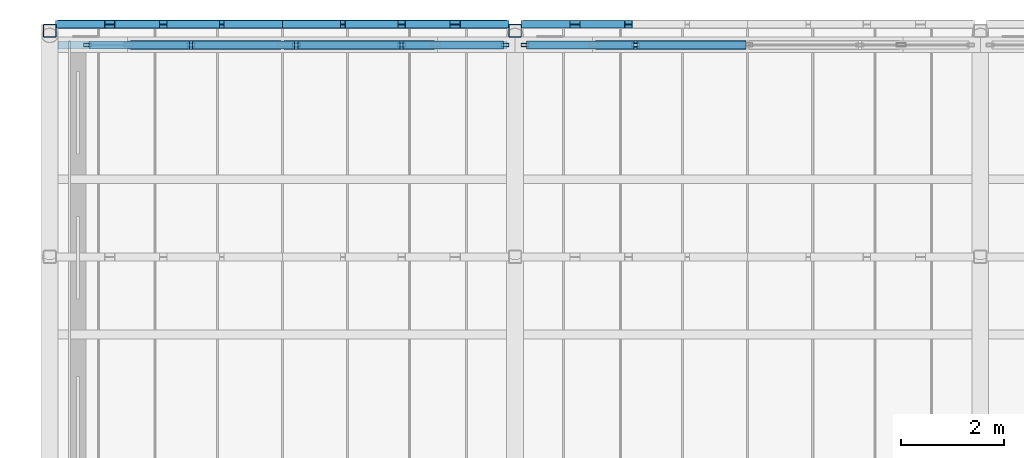
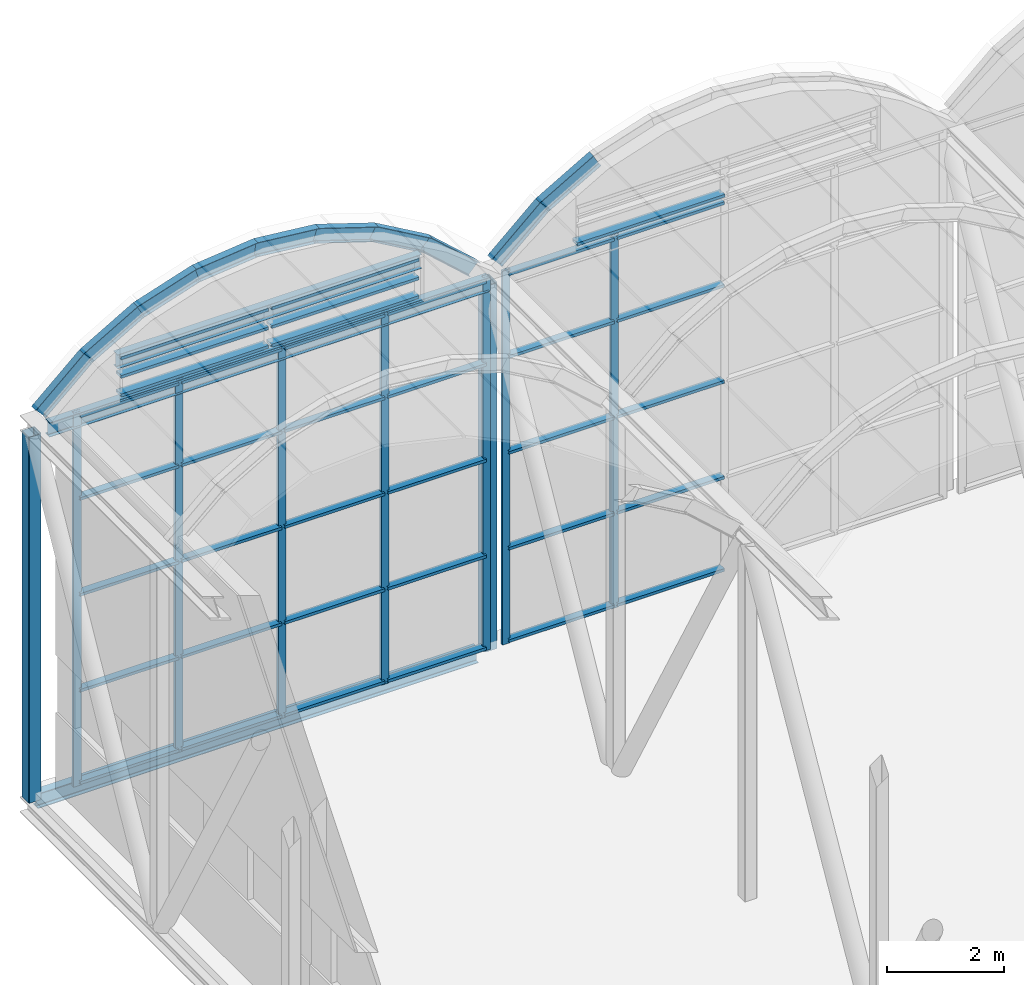
# One storey, part 104 of 144: 56 members, 3 beams, 4 elements without a shape of their own.
"""IFC4 building model written with IfcOpenShell, lengths in metres."""

import ifcopenshell
import ifcopenshell.guid

model = None  # the IFC model being written
_history = None  # IfcOwnerHistory: only IFC2X3 demands one
_inside = {}  # id of a spatial element -> (the spatial element, [elements in it])
_under = {}  # id of a project, library or spatial element -> (it, [spatial elements below it])
_declared = {}  # id of a project -> (the project, [libraries it declares])
_typed = {}  # id of a type object -> (the type object, [elements of that type])
_made_of = {}  # id of a material, layer set ... -> (it, [elements and type objects made of it])


def new_model(schema):
    """Start an empty IFC model of exactly this schema.

    Asked for "IFC4X3", IfcOpenShell would pick the latest addendum, in which some entities
    have other attributes; the version numbers below select the first issue.
    IFC2X3 requires an IfcOwnerHistory on every rooted entity: one is made here for all.
    """
    global model, _history
    if schema == "IFC4X3":
        model = ifcopenshell.file(schema_version=(4, 3, 0, 0))
    else:
        model = ifcopenshell.file(schema=schema)
    _inside.clear()
    _under.clear()
    _declared.clear()
    _typed.clear()
    _made_of.clear()
    _history = None
    if model.schema == "IFC2X3":
        org = make("IfcOrganization", Name="unknown")
        user = make(
            "IfcPersonAndOrganization",
            ThePerson=make("IfcPerson", FamilyName="unknown"),
            TheOrganization=org,
        )
        app = make(
            "IfcApplication",
            ApplicationDeveloper=org,
            Version="unknown",
            ApplicationFullName="unknown",
            ApplicationIdentifier="unknown",
        )
        _history = make(
            "IfcOwnerHistory",
            OwningUser=user,
            OwningApplication=app,
            ChangeAction="ADDED",
            CreationDate=0,
        )
    return model


def make(cls, **values):
    """One entity of the class cls with the attributes given. An attribute that is None is left unset."""
    return model.create_entity(
        cls, **{name: value for name, value in values.items() if value is not None}
    )


def rooted(cls, **values):
    """An entity with a GlobalId (a new one), such as an element, a storey or a relation."""
    return make(cls, GlobalId=ifcopenshell.guid.new(), OwnerHistory=_history, **values)


def si_unit(unit_type, name, prefix=None):
    """IfcSIUnit, for example si_unit("LENGTHUNIT", "METRE", prefix="MILLI")."""
    return make("IfcSIUnit", UnitType=unit_type, Prefix=prefix, Name=name)


def assignment(units):
    """IfcUnitAssignment: the units of a project."""
    return None if units is None else make("IfcUnitAssignment", Units=units)


def point(xyz):
    """IfcCartesianPoint."""
    return None if xyz is None else make("IfcCartesianPoint", Coordinates=xyz)


def direction(xyz):
    """IfcDirection."""
    return None if xyz is None else make("IfcDirection", DirectionRatios=xyz)


def frame(location, z_axis=None, x_axis=None):
    """IfcAxis2Placement3D, a coordinate frame: its origin and axes. An axis left out is left unset."""
    return make(
        "IfcAxis2Placement3D",
        Location=point(location),
        Axis=direction(z_axis),
        RefDirection=direction(x_axis),
    )


def frame_2d(location, x_axis=None):
    """IfcAxis2Placement2D, a coordinate frame in the plane: its origin and x axis."""
    return make(
        "IfcAxis2Placement2D", Location=point(location), RefDirection=direction(x_axis)
    )


def origin():
    """The frame at (0, 0, 0) with its axes left unset."""
    return frame((0.0, 0.0, 0.0))


def origin_2d():
    """The frame at (0, 0) in the plane with its x axis left unset."""
    return frame_2d((0.0, 0.0))


def place(relative_to, where):
    """IfcLocalPlacement: puts the frame where relative to a parent placement (None: the world)."""
    return make(
        "IfcLocalPlacement", PlacementRelTo=relative_to, RelativePlacement=where
    )


def context(
    kind, dimensions, precision=None, world=None, true_north=None, identifier=None
):
    """IfcGeometricRepresentationContext, for example the 3D "Model" context."""
    return make(
        "IfcGeometricRepresentationContext",
        ContextIdentifier=identifier,
        ContextType=kind,
        CoordinateSpaceDimension=dimensions,
        Precision=precision,
        WorldCoordinateSystem=world,
        TrueNorth=true_north,
    )


def subcontext(parent, identifier, kind, view, scale=None):
    """IfcGeometricRepresentationSubContext, for example "Body" below "Model"."""
    return make(
        "IfcGeometricRepresentationSubContext",
        ContextIdentifier=identifier,
        ContextType=kind,
        ParentContext=parent,
        TargetScale=scale,
        TargetView=view,
    )


def project(units=None, contexts=None):
    """IfcProject with its units and contexts."""
    return rooted(
        "IfcProject",
        Name="project",
        RepresentationContexts=contexts,
        UnitsInContext=assignment(units),
    )


def spatial(cls, under=None, at=None, **own):
    """A site, building, storey or space (cls), placed at a placement, below another one or the project."""
    s = rooted(cls, ObjectPlacement=at, **own)
    if under is not None:
        _under.setdefault(under.id(), (under, []))[1].append(s)
    return s


def profile(cls, at=None, kind="AREA", **sizes):
    """A parametric profile (cls). Its sizes go by their IFC names, for example OverallWidth=200.0."""
    return make(cls, ProfileType=kind, Position=at, **sizes)


def hollow_rectangle(**sizes):
    """IfcRectangleHollowProfileDef."""
    return profile("IfcRectangleHollowProfileDef", **sizes)


def i_section(**sizes):
    """IfcIShapeProfileDef."""
    return profile("IfcIShapeProfileDef", **sizes)


def extrude(swept, where, along, depth):
    """IfcExtrudedAreaSolid: the profile swept, set in the frame where, extruded along a direction by depth."""
    return make(
        "IfcExtrudedAreaSolid",
        SweptArea=swept,
        Position=where,
        ExtrudedDirection=direction(along),
        Depth=depth,
    )


def shape(context_of_items, identifier, shape_type, items):
    """IfcShapeRepresentation: the items that make up one representation, for example the "Body"."""
    return make(
        "IfcShapeRepresentation",
        ContextOfItems=context_of_items,
        RepresentationIdentifier=identifier,
        RepresentationType=shape_type,
        Items=items,
    )


def material(Name=None, Category=None):
    """IfcMaterial."""
    return make("IfcMaterial", Name=Name, Category=Category)


def layer(
    of_material, thickness, ventilated=None, Name=None, Category=None, Priority=None
):
    """IfcMaterialLayer: one layer of a wall or slab, of a material (None: an air gap)."""
    return make(
        "IfcMaterialLayer",
        Material=of_material,
        LayerThickness=thickness,
        IsVentilated=ventilated,
        Name=Name,
        Category=Category,
        Priority=Priority,
    )


def layer_set(layers, Name=None):
    """IfcMaterialLayerSet."""
    return make("IfcMaterialLayerSet", MaterialLayers=layers, LayerSetName=Name)


def material_profile(
    of_material, cross_section, Name=None, Category=None, Priority=None
):
    """IfcMaterialProfile: a cross section and its material."""
    return make(
        "IfcMaterialProfile",
        Name=Name,
        Material=of_material,
        Profile=cross_section,
        Priority=Priority,
        Category=Category,
    )


def profile_set(profiles, Name=None, composite=None):
    """IfcMaterialProfileSet."""
    return make(
        "IfcMaterialProfileSet",
        Name=Name,
        MaterialProfiles=profiles,
        CompositeProfile=composite,
    )


def made_of(thing, what):
    """Note that an element or type object is made of a material, layer set ...; save() writes the relation."""
    if what is not None:
        _made_of.setdefault(what.id(), (what, []))[1].append(thing)
    return thing


def type_object(cls, material=None, **own):
    """A type object (cls), such as IfcWallType, which elements share."""
    return made_of(rooted(cls, **own), material)


def element(
    cls,
    number,
    at=None,
    inside=None,
    cuts=None,
    type_object=None,
    material=None,
    context=None,
    identifier="Body",
    shape_type=None,
    held_by="IfcProductDefinitionShape",
    body=None,
    shapes=None,
    **own,
):
    """One element of the class cls, such as IfcWall. Its Tag is "e" and its number.

    at: its placement. inside: the storey or other place that contains it. cuts: it is an
    opening in that element (IfcRelVoidsElement). A single representation is given by context,
    identifier, shape_type and body (its items); several are given by shapes. held_by: the class
    of the entity that holds the representations. save() writes the other relations.
    """
    e = rooted(cls, Tag="e%d" % number, ObjectPlacement=at, **own)
    if body is not None:
        shapes = [shape(context, identifier, shape_type, body)]
    if shapes is not None:
        e.Representation = make(held_by, Representations=shapes)
    if inside is not None:
        _inside.setdefault(inside.id(), (inside, []))[1].append(e)
    if cuts is not None:
        rooted(
            "IfcRelVoidsElement", RelatingBuildingElement=cuts, RelatedOpeningElement=e
        )
    if type_object is not None:
        _typed.setdefault(type_object.id(), (type_object, []))[1].append(e)
    return made_of(e, material)


def aggregate(whole, parts):
    """IfcRelAggregates: a whole, such as a stair, and the parts it consists of."""
    return rooted("IfcRelAggregates", RelatingObject=whole, RelatedObjects=parts)


def save(model, path):
    """Write the relations noted so far, then the file.

    IfcRelAggregates (storeys below a building ...), IfcRelContainedInSpatialStructure (elements
    in a storey), IfcRelDefinesByType, IfcRelAssociatesMaterial and IfcRelDeclares: one each for
    every whole, place, type object, material and project.
    """
    for whole, parts in _under.values():
        aggregate(whole, parts)
    for where, things in _inside.values():
        rooted(
            "IfcRelContainedInSpatialStructure",
            RelatedElements=things,
            RelatingStructure=where,
        )
    for kind, things in _typed.values():
        rooted("IfcRelDefinesByType", RelatedObjects=things, RelatingType=kind)
    for what, things in _made_of.values():
        rooted("IfcRelAssociatesMaterial", RelatedObjects=things, RelatingMaterial=what)
    for by, libraries in _declared.values():
        rooted("IfcRelDeclares", RelatingContext=by, RelatedDefinitions=libraries)
    model.write(path)


model = new_model("IFC4")

# Units and contexts
model_context = context("Model", 3, precision=1e-05, world=origin(), true_north=direction((0.0, 1.0)))
body_context = subcontext(model_context, "Body", "Model", "MODEL_VIEW")
ifc_project = project(units=[si_unit("LENGTHUNIT", "METRE"), si_unit("AREAUNIT", "SQUARE_METRE"), si_unit("VOLUMEUNIT", "CUBIC_METRE"), si_unit("PLANEANGLEUNIT", "RADIAN"), si_unit("MASSUNIT", "GRAM", prefix="KILO")], contexts=[model_context])

# Site, building, storey
site_placement = place(None, origin())
site = spatial("IfcSite", under=ifc_project, at=site_placement, CompositionType="ELEMENT")
building_placement = place(site_placement, origin())
building = spatial("IfcBuilding", under=site, at=building_placement, Name="Shorebreak Coast Museum", CompositionType="ELEMENT")
storey_placement = place(building_placement, frame((0.0, 0.0, 36.0)))
storey = spatial("IfcBuildingStorey", under=building, at=storey_placement, Name="L06", CompositionType="ELEMENT", Elevation=36.0)

# Curtain wall, members
ifc_material_1 = material(Name="Aluminium", Category="aluminium")
ifc_layer_1 = layer(ifc_material_1, 0.14990234375)
ifc_layer_set_1 = layer_set([ifc_layer_1], Name="Aluminium")
curtain_wall_type_1 = type_object("IfcCurtainWallType", Name="Barrel end glazing", PredefinedType="NOTDEFINED", material=ifc_layer_set_1)
curtain_wall_1_placement = place(storey_placement, origin())
curtain_wall_1 = element("IfcCurtainWall", 1, at=curtain_wall_1_placement, inside=storey, type_object=curtain_wall_type_1, Name="Barrel end glazing L06 1", PredefinedType="NOTDEFINED")
ifc_material_2 = material(Name="Aluminium", Category="aluminium")
ifc_material_profile_1 = material_profile(ifc_material_2, hollow_rectangle(XDim=0.06005859375, YDim=0.14990234375, WallThickness=0.00390625, at=origin_2d()), Name="AL 150x60 RHS")
ifc_profile_set_1 = profile_set([ifc_material_profile_1], Name="Aluminium")
member_type_1 = type_object("IfcMemberType", Name="Barrel mullion 60 x 150", PredefinedType="MULLION", material=ifc_profile_set_1)
member_1_placement = place(storey_placement, frame((54.72998046875, 134.60009765625, 0.0), z_axis=(0.0, 0.0, 1.0), x_axis=(0.0, 1.0, 0.0)))
member_1 = element("IfcMember", 2, at=member_1_placement, type_object=member_type_1, Name="CW7 mullion 1", PredefinedType="MULLION", context=body_context, shape_type="SweptSolid", body=[
    extrude(hollow_rectangle(XDim=0.06005859375, YDim=0.14990234375, WallThickness=0.00390625, at=origin_2d()), origin(), (0.0, 0.0, 1.0), 7.800048828125),
])
member_2_placement = place(storey_placement, frame((56.734619140625, 134.60009765625, 0.0), z_axis=(0.0, 0.0, 1.0), x_axis=(0.0, 1.0, 0.0)))
member_2 = element("IfcMember", 3, at=member_2_placement, type_object=member_type_1, Name="CW7 mullion 2", PredefinedType="MULLION", context=body_context, shape_type="SweptSolid", body=[
    extrude(hollow_rectangle(XDim=0.06005859375, YDim=0.14990234375, WallThickness=0.00390625, at=origin_2d()), origin(), (0.0, 0.0, 1.0), 7.800048828125),
])
member_3_placement = place(storey_placement, frame((58.76904296875, 134.60009765625, 0.0), z_axis=(0.0, 0.0, 1.0), x_axis=(0.0, 1.0, 0.0)))
member_3 = element("IfcMember", 4, at=member_3_placement, type_object=member_type_1, Name="CW7 mullion 3", PredefinedType="MULLION", context=body_context, shape_type="SweptSolid", body=[
    extrude(hollow_rectangle(XDim=0.06005859375, YDim=0.14990234375, WallThickness=0.00390625, at=origin_2d()), origin(), (0.0, 0.0, 1.0), 7.800048828125),
])
member_4_placement = place(storey_placement, frame((60.803466796875, 134.60009765625, 0.0), z_axis=(0.0, 0.0, 1.0), x_axis=(0.0, 1.0, 0.0)))
member_4 = element("IfcMember", 5, at=member_4_placement, type_object=member_type_1, Name="CW7 mullion 4", PredefinedType="MULLION", context=body_context, shape_type="SweptSolid", body=[
    extrude(hollow_rectangle(XDim=0.06005859375, YDim=0.14990234375, WallThickness=0.00390625, at=origin_2d()), origin(), (0.0, 0.0, 1.0), 7.800048828125),
])
member_5_placement = place(storey_placement, frame((62.80810546875, 134.60009765625, 0.0), z_axis=(0.0, 0.0, 1.0), x_axis=(0.0, 1.0, 0.0)))
member_5 = element("IfcMember", 6, at=member_5_placement, type_object=member_type_1, Name="CW7 mullion 5", PredefinedType="MULLION", context=body_context, shape_type="SweptSolid", body=[
    extrude(hollow_rectangle(XDim=0.06005859375, YDim=0.14990234375, WallThickness=0.00390625, at=origin_2d()), origin(), (0.0, 0.0, 1.0), 7.800048828125),
])

curtain_wall_2_placement = place(storey_placement, origin())
curtain_wall_2 = element("IfcCurtainWall", 7, at=curtain_wall_2_placement, inside=storey, type_object=curtain_wall_type_1, Name="Barrel end glazing L06 2", PredefinedType="NOTDEFINED")
member_6_placement = place(storey_placement, frame((63.19189453125, 134.60009765625, 0.0), z_axis=(0.0, 0.0, 1.0), x_axis=(0.0, 1.0, 0.0)))
member_6 = element("IfcMember", 8, at=member_6_placement, type_object=member_type_1, Name="CW7 mullion 1", PredefinedType="MULLION", context=body_context, shape_type="SweptSolid", body=[
    extrude(hollow_rectangle(XDim=0.06005859375, YDim=0.14990234375, WallThickness=0.00390625, at=origin_2d()), origin(), (0.0, 0.0, 1.0), 7.800048828125),
])
member_7_placement = place(storey_placement, frame((65.330810546875, 134.60009765625, 0.0), z_axis=(0.0, 0.0, 1.0), x_axis=(0.0, 1.0, 0.0)))
member_7 = element("IfcMember", 9, at=member_7_placement, type_object=member_type_1, Name="CW7 mullion 2", PredefinedType="MULLION", context=body_context, shape_type="SweptSolid", body=[
    extrude(hollow_rectangle(XDim=0.06005859375, YDim=0.14990234375, WallThickness=0.00390625, at=origin_2d()), origin(), (0.0, 0.0, 1.0), 7.800048828125),
])

# Member
ifc_material_3 = material(Name="Aluminium", Category="aluminium")
ifc_material_profile_2 = material_profile(ifc_material_3, hollow_rectangle(XDim=0.14990234375, YDim=0.06005859375, WallThickness=0.00390625, at=origin_2d()), Name="AL 60x150 RHS")
ifc_profile_set_2 = profile_set([ifc_material_profile_2], Name="Aluminium")
member_type_2 = type_object("IfcMemberType", Name="Barrel transom 150 x 60", PredefinedType="USERDEFINED", material=ifc_profile_set_2)
member_8_placement = place(storey_placement, frame((54.760009765625, 134.60009765625, 0.074951171875), z_axis=(1.0, 0.0, 0.0), x_axis=(0.0, 1.0, 0.0)))
member_8 = element("IfcMember", 10, at=member_8_placement, type_object=member_type_2, Name="CW7 transom 1.1", ObjectType="TRANSOM", PredefinedType="USERDEFINED", context=body_context, shape_type="SweptSolid", body=[
    extrude(hollow_rectangle(XDim=0.14990234375, YDim=0.06005859375, WallThickness=0.00390625, at=origin_2d()), origin(), (0.0, 0.0, 1.0), 1.944580078125),
])

member_9_placement = place(storey_placement, frame((54.760009765625, 134.60009765625, 2.0), z_axis=(1.0, 0.0, 0.0), x_axis=(0.0, 1.0, 0.0)))
member_9 = element("IfcMember", 11, at=member_9_placement, type_object=member_type_2, Name="CW7 transom 1.2", ObjectType="TRANSOM", PredefinedType="USERDEFINED", context=body_context, shape_type="SweptSolid", body=[
    extrude(hollow_rectangle(XDim=0.14990234375, YDim=0.06005859375, WallThickness=0.00390625, at=origin_2d()), origin(), (0.0, 0.0, 1.0), 1.944580078125),
])

member_10_placement = place(storey_placement, frame((54.760009765625, 134.60009765625, 4.0), z_axis=(1.0, 0.0, 0.0), x_axis=(0.0, 1.0, 0.0)))
member_10 = element("IfcMember", 12, at=member_10_placement, type_object=member_type_2, Name="CW7 transom 1.3", ObjectType="TRANSOM", PredefinedType="USERDEFINED", context=body_context, shape_type="SweptSolid", body=[
    extrude(hollow_rectangle(XDim=0.14990234375, YDim=0.06005859375, WallThickness=0.00390625, at=origin_2d()), origin(), (0.0, 0.0, 1.0), 1.944580078125),
])

member_11_placement = place(storey_placement, frame((54.760009765625, 134.60009765625, 6.0), z_axis=(1.0, 0.0, 0.0), x_axis=(0.0, 1.0, 0.0)))
member_11 = element("IfcMember", 13, at=member_11_placement, type_object=member_type_2, Name="CW7 transom 1.4", ObjectType="TRANSOM", PredefinedType="USERDEFINED", context=body_context, shape_type="SweptSolid", body=[
    extrude(hollow_rectangle(XDim=0.14990234375, YDim=0.06005859375, WallThickness=0.00390625, at=origin_2d()), origin(), (0.0, 0.0, 1.0), 1.944580078125),
])

member_12_placement = place(storey_placement, frame((54.760009765625, 134.60009765625, 7.72509765625), z_axis=(1.0, 0.0, 0.0), x_axis=(0.0, 1.0, 0.0)))
member_12 = element("IfcMember", 14, at=member_12_placement, type_object=member_type_2, Name="CW7 transom 1.5", ObjectType="TRANSOM", PredefinedType="USERDEFINED", context=body_context, shape_type="SweptSolid", body=[
    extrude(hollow_rectangle(XDim=0.14990234375, YDim=0.06005859375, WallThickness=0.00390625, at=origin_2d()), origin(), (0.0, 0.0, 1.0), 1.944580078125),
])

member_13_placement = place(storey_placement, frame((56.764404296875, 134.60009765625, 0.074951171875), z_axis=(1.0, 0.0, 0.0), x_axis=(0.0, 1.0, 0.0)))
member_13 = element("IfcMember", 15, at=member_13_placement, type_object=member_type_2, Name="CW7 transom 2.1", ObjectType="TRANSOM", PredefinedType="USERDEFINED", context=body_context, shape_type="SweptSolid", body=[
    extrude(hollow_rectangle(XDim=0.14990234375, YDim=0.06005859375, WallThickness=0.00390625, at=origin_2d()), origin(), (0.0, 0.0, 1.0), 1.974609375),
])

member_14_placement = place(storey_placement, frame((56.764404296875, 134.60009765625, 2.0), z_axis=(1.0, 0.0, 0.0), x_axis=(0.0, 1.0, 0.0)))
member_14 = element("IfcMember", 16, at=member_14_placement, type_object=member_type_2, Name="CW7 transom 2.2", ObjectType="TRANSOM", PredefinedType="USERDEFINED", context=body_context, shape_type="SweptSolid", body=[
    extrude(hollow_rectangle(XDim=0.14990234375, YDim=0.06005859375, WallThickness=0.00390625, at=origin_2d()), origin(), (0.0, 0.0, 1.0), 1.974609375),
])

member_15_placement = place(storey_placement, frame((56.764404296875, 134.60009765625, 4.0), z_axis=(1.0, 0.0, 0.0), x_axis=(0.0, 1.0, 0.0)))
member_15 = element("IfcMember", 17, at=member_15_placement, type_object=member_type_2, Name="CW7 transom 2.3", ObjectType="TRANSOM", PredefinedType="USERDEFINED", context=body_context, shape_type="SweptSolid", body=[
    extrude(hollow_rectangle(XDim=0.14990234375, YDim=0.06005859375, WallThickness=0.00390625, at=origin_2d()), origin(), (0.0, 0.0, 1.0), 1.974609375),
])

member_16_placement = place(storey_placement, frame((56.764404296875, 134.60009765625, 6.0), z_axis=(1.0, 0.0, 0.0), x_axis=(0.0, 1.0, 0.0)))
member_16 = element("IfcMember", 18, at=member_16_placement, type_object=member_type_2, Name="CW7 transom 2.4", ObjectType="TRANSOM", PredefinedType="USERDEFINED", context=body_context, shape_type="SweptSolid", body=[
    extrude(hollow_rectangle(XDim=0.14990234375, YDim=0.06005859375, WallThickness=0.00390625, at=origin_2d()), origin(), (0.0, 0.0, 1.0), 1.974609375),
])

member_17_placement = place(storey_placement, frame((56.764404296875, 134.60009765625, 7.72509765625), z_axis=(1.0, 0.0, 0.0), x_axis=(0.0, 1.0, 0.0)))
member_17 = element("IfcMember", 19, at=member_17_placement, type_object=member_type_2, Name="CW7 transom 2.5", ObjectType="TRANSOM", PredefinedType="USERDEFINED", context=body_context, shape_type="SweptSolid", body=[
    extrude(hollow_rectangle(XDim=0.14990234375, YDim=0.06005859375, WallThickness=0.00390625, at=origin_2d()), origin(), (0.0, 0.0, 1.0), 1.974609375),
])

member_18_placement = place(storey_placement, frame((58.799072265625, 134.60009765625, 0.074951171875), z_axis=(1.0, 0.0, 0.0), x_axis=(0.0, 1.0, 0.0)))
member_18 = element("IfcMember", 20, at=member_18_placement, type_object=member_type_2, Name="CW7 transom 3.1", ObjectType="TRANSOM", PredefinedType="USERDEFINED", context=body_context, shape_type="SweptSolid", body=[
    extrude(hollow_rectangle(XDim=0.14990234375, YDim=0.06005859375, WallThickness=0.00390625, at=origin_2d()), origin(), (0.0, 0.0, 1.0), 1.974609375),
])

member_19_placement = place(storey_placement, frame((58.799072265625, 134.60009765625, 2.0), z_axis=(1.0, 0.0, 0.0), x_axis=(0.0, 1.0, 0.0)))
member_19 = element("IfcMember", 21, at=member_19_placement, type_object=member_type_2, Name="CW7 transom 3.2", ObjectType="TRANSOM", PredefinedType="USERDEFINED", context=body_context, shape_type="SweptSolid", body=[
    extrude(hollow_rectangle(XDim=0.14990234375, YDim=0.06005859375, WallThickness=0.00390625, at=origin_2d()), origin(), (0.0, 0.0, 1.0), 1.974609375),
])

member_20_placement = place(storey_placement, frame((58.799072265625, 134.60009765625, 4.0), z_axis=(1.0, 0.0, 0.0), x_axis=(0.0, 1.0, 0.0)))
member_20 = element("IfcMember", 22, at=member_20_placement, type_object=member_type_2, Name="CW7 transom 3.3", ObjectType="TRANSOM", PredefinedType="USERDEFINED", context=body_context, shape_type="SweptSolid", body=[
    extrude(hollow_rectangle(XDim=0.14990234375, YDim=0.06005859375, WallThickness=0.00390625, at=origin_2d()), origin(), (0.0, 0.0, 1.0), 1.974609375),
])

member_21_placement = place(storey_placement, frame((58.799072265625, 134.60009765625, 6.0), z_axis=(1.0, 0.0, 0.0), x_axis=(0.0, 1.0, 0.0)))
member_21 = element("IfcMember", 23, at=member_21_placement, type_object=member_type_2, Name="CW7 transom 3.4", ObjectType="TRANSOM", PredefinedType="USERDEFINED", context=body_context, shape_type="SweptSolid", body=[
    extrude(hollow_rectangle(XDim=0.14990234375, YDim=0.06005859375, WallThickness=0.00390625, at=origin_2d()), origin(), (0.0, 0.0, 1.0), 1.974609375),
])

member_22_placement = place(storey_placement, frame((58.799072265625, 134.60009765625, 7.72509765625), z_axis=(1.0, 0.0, 0.0), x_axis=(0.0, 1.0, 0.0)))
member_22 = element("IfcMember", 24, at=member_22_placement, type_object=member_type_2, Name="CW7 transom 3.5", ObjectType="TRANSOM", PredefinedType="USERDEFINED", context=body_context, shape_type="SweptSolid", body=[
    extrude(hollow_rectangle(XDim=0.14990234375, YDim=0.06005859375, WallThickness=0.00390625, at=origin_2d()), origin(), (0.0, 0.0, 1.0), 1.974609375),
])

member_23_placement = place(storey_placement, frame((60.83349609375, 134.60009765625, 0.074951171875), z_axis=(1.0, 0.0, 0.0), x_axis=(0.0, 1.0, 0.0)))
member_23 = element("IfcMember", 25, at=member_23_placement, type_object=member_type_2, Name="CW7 transom 4.1", ObjectType="TRANSOM", PredefinedType="USERDEFINED", context=body_context, shape_type="SweptSolid", body=[
    extrude(hollow_rectangle(XDim=0.14990234375, YDim=0.06005859375, WallThickness=0.00390625, at=origin_2d()), origin(), (0.0, 0.0, 1.0), 1.944580078125),
])

member_24_placement = place(storey_placement, frame((60.83349609375, 134.60009765625, 2.0), z_axis=(1.0, 0.0, 0.0), x_axis=(0.0, 1.0, 0.0)))
member_24 = element("IfcMember", 26, at=member_24_placement, type_object=member_type_2, Name="CW7 transom 4.2", ObjectType="TRANSOM", PredefinedType="USERDEFINED", context=body_context, shape_type="SweptSolid", body=[
    extrude(hollow_rectangle(XDim=0.14990234375, YDim=0.06005859375, WallThickness=0.00390625, at=origin_2d()), origin(), (0.0, 0.0, 1.0), 1.944580078125),
])

member_25_placement = place(storey_placement, frame((60.83349609375, 134.60009765625, 4.0), z_axis=(1.0, 0.0, 0.0), x_axis=(0.0, 1.0, 0.0)))
member_25 = element("IfcMember", 27, at=member_25_placement, type_object=member_type_2, Name="CW7 transom 4.3", ObjectType="TRANSOM", PredefinedType="USERDEFINED", context=body_context, shape_type="SweptSolid", body=[
    extrude(hollow_rectangle(XDim=0.14990234375, YDim=0.06005859375, WallThickness=0.00390625, at=origin_2d()), origin(), (0.0, 0.0, 1.0), 1.944580078125),
])

member_26_placement = place(storey_placement, frame((60.83349609375, 134.60009765625, 6.0), z_axis=(1.0, 0.0, 0.0), x_axis=(0.0, 1.0, 0.0)))
member_26 = element("IfcMember", 28, at=member_26_placement, type_object=member_type_2, Name="CW7 transom 4.4", ObjectType="TRANSOM", PredefinedType="USERDEFINED", context=body_context, shape_type="SweptSolid", body=[
    extrude(hollow_rectangle(XDim=0.14990234375, YDim=0.06005859375, WallThickness=0.00390625, at=origin_2d()), origin(), (0.0, 0.0, 1.0), 1.944580078125),
])

member_27_placement = place(storey_placement, frame((60.83349609375, 134.60009765625, 7.72509765625), z_axis=(1.0, 0.0, 0.0), x_axis=(0.0, 1.0, 0.0)))
member_27 = element("IfcMember", 29, at=member_27_placement, type_object=member_type_2, Name="CW7 transom 4.5", ObjectType="TRANSOM", PredefinedType="USERDEFINED", context=body_context, shape_type="SweptSolid", body=[
    extrude(hollow_rectangle(XDim=0.14990234375, YDim=0.06005859375, WallThickness=0.00390625, at=origin_2d()), origin(), (0.0, 0.0, 1.0), 1.944580078125),
])

aggregate(curtain_wall_1, [member_1, member_2, member_3, member_4, member_5, member_8, member_9, member_10, member_11, member_12, member_13, member_14, member_15, member_16, member_17, member_18, member_19, member_20, member_21, member_22, member_23, member_24, member_25, member_26, member_27])

member_28_placement = place(storey_placement, frame((63.221923828125, 134.60009765625, 0.074951171875), z_axis=(1.0, 0.0, 0.0), x_axis=(0.0, 1.0, 0.0)))
member_28 = element("IfcMember", 30, at=member_28_placement, type_object=member_type_2, Name="CW7 transom 1.1", ObjectType="TRANSOM", PredefinedType="USERDEFINED", context=body_context, shape_type="SweptSolid", body=[
    extrude(hollow_rectangle(XDim=0.14990234375, YDim=0.06005859375, WallThickness=0.00390625, at=origin_2d()), origin(), (0.0, 0.0, 1.0), 2.0791015625),
])

member_29_placement = place(storey_placement, frame((63.221923828125, 134.60009765625, 2.0), z_axis=(1.0, 0.0, 0.0), x_axis=(0.0, 1.0, 0.0)))
member_29 = element("IfcMember", 31, at=member_29_placement, type_object=member_type_2, Name="CW7 transom 1.2", ObjectType="TRANSOM", PredefinedType="USERDEFINED", context=body_context, shape_type="SweptSolid", body=[
    extrude(hollow_rectangle(XDim=0.14990234375, YDim=0.06005859375, WallThickness=0.00390625, at=origin_2d()), origin(), (0.0, 0.0, 1.0), 2.0791015625),
])

member_30_placement = place(storey_placement, frame((63.221923828125, 134.60009765625, 4.0), z_axis=(1.0, 0.0, 0.0), x_axis=(0.0, 1.0, 0.0)))
member_30 = element("IfcMember", 32, at=member_30_placement, type_object=member_type_2, Name="CW7 transom 1.3", ObjectType="TRANSOM", PredefinedType="USERDEFINED", context=body_context, shape_type="SweptSolid", body=[
    extrude(hollow_rectangle(XDim=0.14990234375, YDim=0.06005859375, WallThickness=0.00390625, at=origin_2d()), origin(), (0.0, 0.0, 1.0), 2.0791015625),
])

member_31_placement = place(storey_placement, frame((63.221923828125, 134.60009765625, 6.0), z_axis=(1.0, 0.0, 0.0), x_axis=(0.0, 1.0, 0.0)))
member_31 = element("IfcMember", 33, at=member_31_placement, type_object=member_type_2, Name="CW7 transom 1.4", ObjectType="TRANSOM", PredefinedType="USERDEFINED", context=body_context, shape_type="SweptSolid", body=[
    extrude(hollow_rectangle(XDim=0.14990234375, YDim=0.06005859375, WallThickness=0.00390625, at=origin_2d()), origin(), (0.0, 0.0, 1.0), 2.0791015625),
])

member_32_placement = place(storey_placement, frame((63.221923828125, 134.60009765625, 7.72509765625), z_axis=(1.0, 0.0, 0.0), x_axis=(0.0, 1.0, 0.0)))
member_32 = element("IfcMember", 34, at=member_32_placement, type_object=member_type_2, Name="CW7 transom 1.5", ObjectType="TRANSOM", PredefinedType="USERDEFINED", context=body_context, shape_type="SweptSolid", body=[
    extrude(hollow_rectangle(XDim=0.14990234375, YDim=0.06005859375, WallThickness=0.00390625, at=origin_2d()), origin(), (0.0, 0.0, 1.0), 2.0791015625),
])

member_33_placement = place(storey_placement, frame((65.36083984375, 134.60009765625, 0.074951171875), z_axis=(1.0, 0.0, 0.0), x_axis=(0.0, 1.0, 0.0)))
member_33 = element("IfcMember", 35, at=member_33_placement, type_object=member_type_2, Name="CW7 transom 2.1", ObjectType="TRANSOM", PredefinedType="USERDEFINED", context=body_context, shape_type="SweptSolid", body=[
    extrude(hollow_rectangle(XDim=0.14990234375, YDim=0.06005859375, WallThickness=0.00390625, at=origin_2d()), origin(), (0.0, 0.0, 1.0), 2.109130859375),
])

member_34_placement = place(storey_placement, frame((65.36083984375, 134.60009765625, 2.0), z_axis=(1.0, 0.0, 0.0), x_axis=(0.0, 1.0, 0.0)))
member_34 = element("IfcMember", 36, at=member_34_placement, type_object=member_type_2, Name="CW7 transom 2.2", ObjectType="TRANSOM", PredefinedType="USERDEFINED", context=body_context, shape_type="SweptSolid", body=[
    extrude(hollow_rectangle(XDim=0.14990234375, YDim=0.06005859375, WallThickness=0.00390625, at=origin_2d()), origin(), (0.0, 0.0, 1.0), 2.109130859375),
])

member_35_placement = place(storey_placement, frame((65.36083984375, 134.60009765625, 4.0), z_axis=(1.0, 0.0, 0.0), x_axis=(0.0, 1.0, 0.0)))
member_35 = element("IfcMember", 37, at=member_35_placement, type_object=member_type_2, Name="CW7 transom 2.3", ObjectType="TRANSOM", PredefinedType="USERDEFINED", context=body_context, shape_type="SweptSolid", body=[
    extrude(hollow_rectangle(XDim=0.14990234375, YDim=0.06005859375, WallThickness=0.00390625, at=origin_2d()), origin(), (0.0, 0.0, 1.0), 2.109130859375),
])

member_36_placement = place(storey_placement, frame((65.36083984375, 134.60009765625, 6.0), z_axis=(1.0, 0.0, 0.0), x_axis=(0.0, 1.0, 0.0)))
member_36 = element("IfcMember", 38, at=member_36_placement, type_object=member_type_2, Name="CW7 transom 2.4", ObjectType="TRANSOM", PredefinedType="USERDEFINED", context=body_context, shape_type="SweptSolid", body=[
    extrude(hollow_rectangle(XDim=0.14990234375, YDim=0.06005859375, WallThickness=0.00390625, at=origin_2d()), origin(), (0.0, 0.0, 1.0), 2.109130859375),
])

member_37_placement = place(storey_placement, frame((65.36083984375, 134.60009765625, 7.72509765625), z_axis=(1.0, 0.0, 0.0), x_axis=(0.0, 1.0, 0.0)))
member_37 = element("IfcMember", 39, at=member_37_placement, type_object=member_type_2, Name="CW7 transom 2.5", ObjectType="TRANSOM", PredefinedType="USERDEFINED", context=body_context, shape_type="SweptSolid", body=[
    extrude(hollow_rectangle(XDim=0.14990234375, YDim=0.06005859375, WallThickness=0.00390625, at=origin_2d()), origin(), (0.0, 0.0, 1.0), 2.109130859375),
])

aggregate(curtain_wall_2, [member_6, member_7, member_28, member_29, member_30, member_31, member_32, member_33, member_34, member_35, member_36, member_37])

# Beam
ifc_material_4 = material(Name="Steel Grade 300", Category="steel")
ifc_material_profile_3 = material_profile(ifc_material_4, i_section(OverallWidth=0.166015625, OverallDepth=0.30712890625, WebThickness=0.006591796875, FlangeThickness=0.01171875, FilletRadius=0.011474609375, at=origin_2d()), Name="310UB46.2")
ifc_profile_set_3 = profile_set([ifc_material_profile_3], Name="Steel Grade 300")
beam_type_1 = type_object("IfcBeamType", Name="Floor girder east-west 310UB46.2", PredefinedType="BEAM", material=ifc_profile_set_3)
beam_1_placement = place(storey_placement, frame((54.155517578125, 135.0, -0.32861328125), z_axis=(1.0, 0.0, 0.0), x_axis=(0.0, 1.0, 0.0)))
element("IfcBeam", 40, at=beam_1_placement, inside=storey, type_object=beam_type_1, Name="Floor girder east-west L06 7S", PredefinedType="BEAM", context=body_context, shape_type="SweptSolid", body=[
    extrude(i_section(OverallWidth=0.166015625, OverallDepth=0.30712890625, WebThickness=0.006591796875, FlangeThickness=0.01171875, FilletRadius=0.011474609375, at=origin_2d()), origin(), (0.0, 0.0, 1.0), 8.68896484375),
])

# Curtain wall, members
ifc_material_5 = material(Name="Aluminium", Category="aluminium")
ifc_layer_2 = layer(ifc_material_5, 0.175048828125)
ifc_layer_set_2 = layer_set([ifc_layer_2], Name="Aluminium")
curtain_wall_type_2 = type_object("IfcCurtainWallType", Name="Gable curtain wall", PredefinedType="NOTDEFINED", material=ifc_layer_set_2)
curtain_wall_3_placement = place(storey_placement, origin())
curtain_wall_3 = element("IfcCurtainWall", 41, at=curtain_wall_3_placement, inside=storey, type_object=curtain_wall_type_2, Name="Vault arch glazing V1", PredefinedType="NOTDEFINED")
ifc_material_6 = material(Name="Aluminium", Category="aluminium")
ifc_material_profile_4 = material_profile(ifc_material_6, hollow_rectangle(XDim=0.175048828125, YDim=0.06005859375, WallThickness=0.00390625, at=origin_2d()), Name="AL 60x175 RHS")
ifc_profile_set_4 = profile_set([ifc_material_profile_4], Name="Aluminium")
member_type_3 = type_object("IfcMemberType", Name="Gable transom 175 x 60", PredefinedType="USERDEFINED", material=ifc_profile_set_4)
member_38_placement = place(storey_placement, frame((55.56005859375, 134.60009765625, 7.887451171875), z_axis=(1.0, 0.0, 0.0), x_axis=(0.0, 1.0, 0.0)))
member_38 = element("IfcMember", 42, at=member_38_placement, type_object=member_type_3, Name="CW9 transom 1.1", ObjectType="TRANSOM", PredefinedType="USERDEFINED", context=body_context, shape_type="SweptSolid", body=[
    extrude(hollow_rectangle(XDim=0.175048828125, YDim=0.06005859375, WallThickness=0.00390625, at=origin_2d()), origin(), (0.0, 0.0, 1.0), 2.909912109375),
])
member_39_placement = place(storey_placement, frame((55.56005859375, 134.60009765625, 8.27490234375), z_axis=(1.0, 0.0, 0.0), x_axis=(0.0, 1.0, 0.0)))
member_39 = element("IfcMember", 43, at=member_39_placement, type_object=member_type_3, Name="CW9 transom 1.2", ObjectType="TRANSOM", PredefinedType="USERDEFINED", context=body_context, shape_type="SweptSolid", body=[
    extrude(hollow_rectangle(XDim=0.175048828125, YDim=0.06005859375, WallThickness=0.00390625, at=origin_2d()), origin(), (0.0, 0.0, 1.0), 2.909912109375),
])
member_40_placement = place(storey_placement, frame((55.56005859375, 134.60009765625, 8.66259765625), z_axis=(1.0, 0.0, 0.0), x_axis=(0.0, 1.0, 0.0)))
member_40 = element("IfcMember", 44, at=member_40_placement, type_object=member_type_3, Name="CW9 transom 1.3", ObjectType="TRANSOM", PredefinedType="USERDEFINED", context=body_context, shape_type="SweptSolid", body=[
    extrude(hollow_rectangle(XDim=0.175048828125, YDim=0.06005859375, WallThickness=0.00390625, at=origin_2d()), origin(), (0.0, 0.0, 1.0), 2.909912109375),
])
member_41_placement = place(storey_placement, frame((58.530029296875, 134.60009765625, 7.887451171875), z_axis=(1.0, 0.0, 0.0), x_axis=(0.0, 1.0, 0.0)))
member_41 = element("IfcMember", 45, at=member_41_placement, type_object=member_type_3, Name="CW9 transom 2.1", ObjectType="TRANSOM", PredefinedType="USERDEFINED", context=body_context, shape_type="SweptSolid", body=[
    extrude(hollow_rectangle(XDim=0.175048828125, YDim=0.06005859375, WallThickness=0.00390625, at=origin_2d()), origin(), (0.0, 0.0, 1.0), 2.909912109375),
])
member_42_placement = place(storey_placement, frame((58.530029296875, 134.60009765625, 8.27490234375), z_axis=(1.0, 0.0, 0.0), x_axis=(0.0, 1.0, 0.0)))
member_42 = element("IfcMember", 46, at=member_42_placement, type_object=member_type_3, Name="CW9 transom 2.2", ObjectType="TRANSOM", PredefinedType="USERDEFINED", context=body_context, shape_type="SweptSolid", body=[
    extrude(hollow_rectangle(XDim=0.175048828125, YDim=0.06005859375, WallThickness=0.00390625, at=origin_2d()), origin(), (0.0, 0.0, 1.0), 2.909912109375),
])
member_43_placement = place(storey_placement, frame((58.530029296875, 134.60009765625, 8.66259765625), z_axis=(1.0, 0.0, 0.0), x_axis=(0.0, 1.0, 0.0)))
member_43 = element("IfcMember", 47, at=member_43_placement, type_object=member_type_3, Name="CW9 transom 2.3", ObjectType="TRANSOM", PredefinedType="USERDEFINED", context=body_context, shape_type="SweptSolid", body=[
    extrude(hollow_rectangle(XDim=0.175048828125, YDim=0.06005859375, WallThickness=0.00390625, at=origin_2d()), origin(), (0.0, 0.0, 1.0), 2.909912109375),
])
aggregate(curtain_wall_3, [member_38, member_39, member_40, member_41, member_42, member_43])

# Curtain wall, member
curtain_wall_4_placement = place(storey_placement, origin())
curtain_wall_4 = element("IfcCurtainWall", 48, at=curtain_wall_4_placement, inside=storey, type_object=curtain_wall_type_2, Name="Vault arch glazing V2", PredefinedType="NOTDEFINED")
member_44_placement = place(storey_placement, frame((64.56005859375, 134.60009765625, 7.887451171875), z_axis=(1.0, 0.0, 0.0), x_axis=(0.0, 1.0, 0.0)))
member_44 = element("IfcMember", 49, at=member_44_placement, type_object=member_type_3, Name="CW9 transom 1.1", ObjectType="TRANSOM", PredefinedType="USERDEFINED", context=body_context, shape_type="SweptSolid", body=[
    extrude(hollow_rectangle(XDim=0.175048828125, YDim=0.06005859375, WallThickness=0.00390625, at=origin_2d()), origin(), (0.0, 0.0, 1.0), 2.909912109375),
])
aggregate(curtain_wall_4, [member_44])

# Members
ifc_material_7 = material(Name="Steel Grade C450L0", Category="steel")
ifc_material_profile_5 = material_profile(ifc_material_7, hollow_rectangle(XDim=0.25, YDim=0.25, WallThickness=0.009033203125, InnerFilletRadius=0.013427734375, OuterFilletRadius=0.0224609375, at=origin_2d()), Name="250x250x9.0 SHS")
ifc_profile_set_5 = profile_set([ifc_material_profile_5], Name="Steel Grade C450L0")
member_type_4 = type_object("IfcMemberType", Name="Transfer truss strut 250x250x9.0 SHS", PredefinedType="STRUT", material=ifc_profile_set_5)
for number, where, z_axis, x_axis, name in (
    (50, (54.0, 134.875, -0.175048828125), (0.0, 0.0, 1.0), (1.0, 0.0, 0.0), "Transfer truss TR1 strut V14"),
    (51, (63.0, 134.875, -0.175048828125), (0.0, 0.0, 1.0), (1.0, 0.0, 0.0), "Transfer truss TR2 strut V14"),
):
    element("IfcMember", number, at=place(storey_placement, frame(where, z_axis=z_axis, x_axis=x_axis)), inside=storey, type_object=member_type_4, Name=name, PredefinedType="STRUT", context=body_context, shape_type="SweptSolid", body=[
        extrude(hollow_rectangle(XDim=0.25, YDim=0.25, WallThickness=0.009033203125, InnerFilletRadius=0.013427734375, OuterFilletRadius=0.0224609375, at=origin_2d()), origin(), (0.0, 0.0, 1.0), 7.6328125),
    ])
ifc_material_8 = material(Name="Steel Grade 300", Category="steel")
ifc_material_profile_6 = material_profile(ifc_material_8, i_section(OverallWidth=0.14892578125, OverallDepth=0.298095703125, WebThickness=0.005615234375, FlangeThickness=0.008056640625, FilletRadius=0.012939453125, at=origin_2d()), Name="310UB32.0")
ifc_profile_set_6 = profile_set([ifc_material_profile_6], Name="Steel Grade 300")
member_type_5 = type_object("IfcMemberType", Name="Vault arch rib 310UB32.0", PredefinedType="RAFTER", material=ifc_profile_set_6)
member_45_placement = place(storey_placement, frame((54.21240234375, 135.0, 7.7216796875), z_axis=(0.743894909598, 0.0, 0.668296613394), x_axis=(0.0, 1.0, 0.0)))
element("IfcMember", 52, at=member_45_placement, inside=storey, type_object=member_type_5, Name="Vault arch rib V1 line 10 facet 1", PredefinedType="RAFTER", context=body_context, shape_type="SweptSolid", body=[
    extrude(i_section(OverallWidth=0.14892578125, OverallDepth=0.298095703125, WebThickness=0.005615234375, FlangeThickness=0.008056640625, FilletRadius=0.012939453125, at=origin_2d()), origin(), (0.0, 0.0, 1.0), 1.2724609375),
])
for number, where, z_axis, x_axis, name in (
    (53, (55.1337890625, 135.0, 8.5537109375), (0.866444596228, 0.0, 0.499273233478), (0.0, 1.0, 0.0), "Vault arch rib V1 line 10 facet 2"),
    (54, (56.165283203125, 135.0, 9.152099609375), (0.951225984169, 0.0, 0.308494938436), (0.0, 1.0, 0.0), "Vault arch rib V1 line 10 facet 3"),
    (55, (57.298828125, 135.0, 9.52294921875), (0.994539296345, 0.0, 0.104362771266), (0.0, 1.0, 0.0), "Vault arch rib V1 line 10 facet 4"),
    (56, (58.484375, 135.0, 9.650634765625), (0.994539296345, 0.0, -0.104362771266), (0.0, 1.0, 0.0), "Vault arch rib V1 line 10 facet 5"),
    (57, (59.6708984375, 135.0, 9.529541015625), (0.951225984169, 0.0, -0.308494938436), (0.0, 1.0, 0.0), "Vault arch rib V1 line 10 facet 6"),
    (58, (60.80615234375, 135.0, 9.16455078125), (0.866444596228, 0.0, -0.499273233478), (0.0, 1.0, 0.0), "Vault arch rib V1 line 10 facet 7"),
):
    element("IfcMember", number, at=place(storey_placement, frame(where, z_axis=z_axis, x_axis=x_axis)), inside=storey, type_object=member_type_5, Name=name, PredefinedType="RAFTER", context=body_context, shape_type="SweptSolid", body=[
        extrude(i_section(OverallWidth=0.14892578125, OverallDepth=0.298095703125, WebThickness=0.005615234375, FlangeThickness=0.008056640625, FilletRadius=0.012939453125, at=origin_2d()), origin(), (0.0, 0.0, 1.0), 1.223388671875),
    ])
for number, where, z_axis, x_axis, name in (
    (59, (61.841064453125, 135.0, 8.572021484375), (0.743894909598, 0.0, -0.668296613394), (0.0, 1.0, 0.0), "Vault arch rib V1 line 10 facet 8"),
    (60, (63.21240234375, 135.0, 7.7216796875), (0.743894909598, 0.0, 0.668296613394), (0.0, 1.0, 0.0), "Vault arch rib V2 line 10 facet 1"),
):
    element("IfcMember", number, at=place(storey_placement, frame(where, z_axis=z_axis, x_axis=x_axis)), inside=storey, type_object=member_type_5, Name=name, PredefinedType="RAFTER", context=body_context, shape_type="SweptSolid", body=[
        extrude(i_section(OverallWidth=0.14892578125, OverallDepth=0.298095703125, WebThickness=0.005615234375, FlangeThickness=0.008056640625, FilletRadius=0.012939453125, at=origin_2d()), origin(), (0.0, 0.0, 1.0), 1.2724609375),
    ])
member_46_placement = place(storey_placement, frame((64.1337890625, 135.0, 8.5537109375), z_axis=(0.866444596228, 0.0, 0.499273233478), x_axis=(0.0, 1.0, 0.0)))
element("IfcMember", 61, at=member_46_placement, inside=storey, type_object=member_type_5, Name="Vault arch rib V2 line 10 facet 2", PredefinedType="RAFTER", context=body_context, shape_type="SweptSolid", body=[
    extrude(i_section(OverallWidth=0.14892578125, OverallDepth=0.298095703125, WebThickness=0.005615234375, FlangeThickness=0.008056640625, FilletRadius=0.012939453125, at=origin_2d()), origin(), (0.0, 0.0, 1.0), 1.223388671875),
])

# Beams
ifc_material_9 = material(Name="Steel Grade 300", Category="steel")
ifc_material_profile_7 = material_profile(ifc_material_9, i_section(OverallWidth=0.14892578125, OverallDepth=0.298095703125, WebThickness=0.005615234375, FlangeThickness=0.008056640625, FilletRadius=0.012939453125, at=origin_2d()), Name="310UB32.0")
ifc_profile_set_7 = profile_set([ifc_material_profile_7], Name="Steel Grade 300")
beam_type_2 = type_object("IfcBeamType", Name="Vault end edge beam 310UB32.0", PredefinedType="BEAM", material=ifc_profile_set_7)
beam_2_placement = place(storey_placement, frame((54.155517578125, 134.60009765625, 7.65087890625), z_axis=(1.0, 0.0, 0.0), x_axis=(0.0, 1.0, 0.0)))
element("IfcBeam", 62, at=beam_2_placement, inside=storey, type_object=beam_type_2, Name="Vault end edge beam V1", PredefinedType="BEAM", context=body_context, shape_type="SweptSolid", body=[
    extrude(i_section(OverallWidth=0.14892578125, OverallDepth=0.298095703125, WebThickness=0.005615234375, FlangeThickness=0.008056640625, FilletRadius=0.012939453125, at=origin_2d()), origin(), (0.0, 0.0, 1.0), 8.68896484375),
])
ifc_material_10 = material(Name="Steel Grade 300", Category="steel")
ifc_material_profile_8 = material_profile(ifc_material_10, i_section(OverallWidth=0.14892578125, OverallDepth=0.298095703125, WebThickness=0.005615234375, FlangeThickness=0.008056640625, FilletRadius=0.012939453125, at=origin_2d()), Name="310UB32.0")
ifc_profile_set_8 = profile_set([ifc_material_profile_8], Name="Steel Grade 300")
beam_type_3 = type_object("IfcBeamType", Name="Vault end lintel 310UB32.0", PredefinedType="BEAM", material=ifc_profile_set_8)
beam_3_placement = place(storey_placement, frame((55.5, 134.60009765625, 8.60107421875), z_axis=(1.0, 0.0, 0.0), x_axis=(0.0, 1.0, 0.0)))
element("IfcBeam", 63, at=beam_3_placement, inside=storey, type_object=beam_type_3, Name="Vault end lintel V1", PredefinedType="BEAM", context=body_context, shape_type="SweptSolid", body=[
    extrude(i_section(OverallWidth=0.14892578125, OverallDepth=0.298095703125, WebThickness=0.005615234375, FlangeThickness=0.008056640625, FilletRadius=0.012939453125, at=origin_2d()), origin(), (0.0, 0.0, 1.0), 6.0),
])

save(model, "model.ifc")
